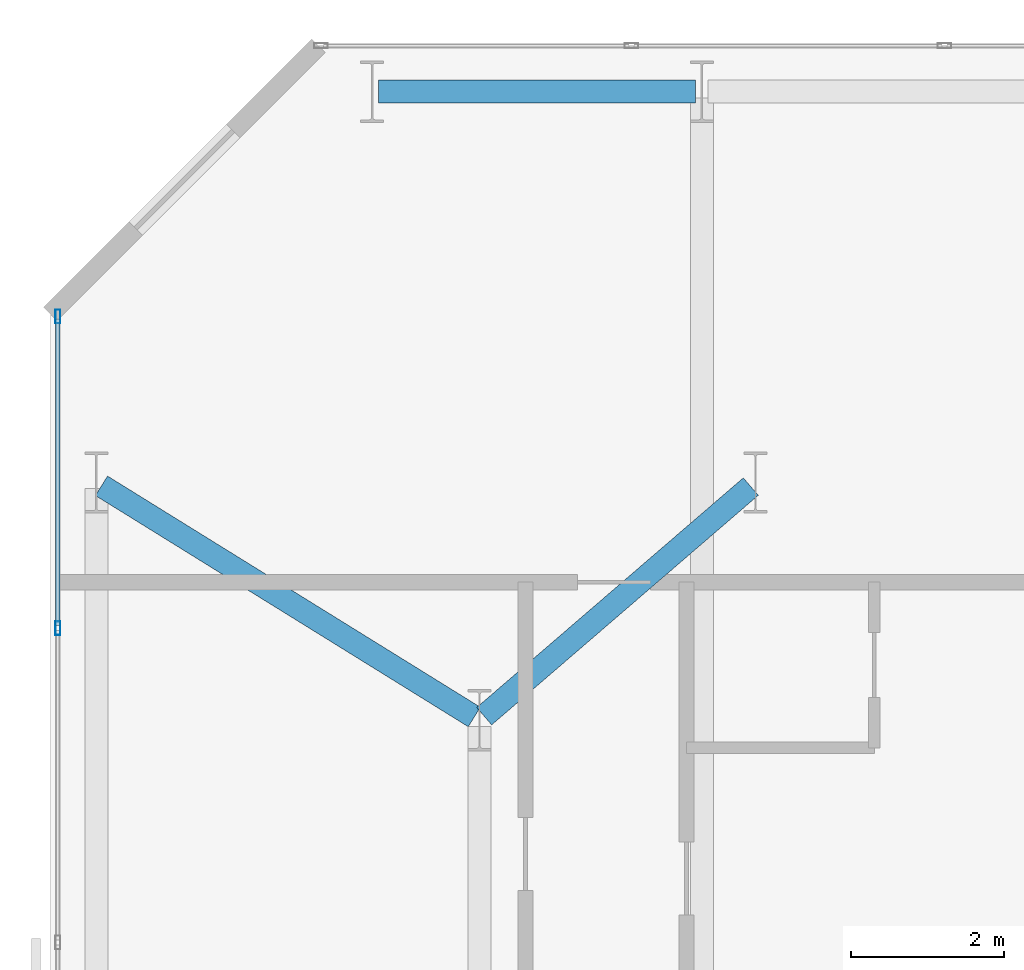
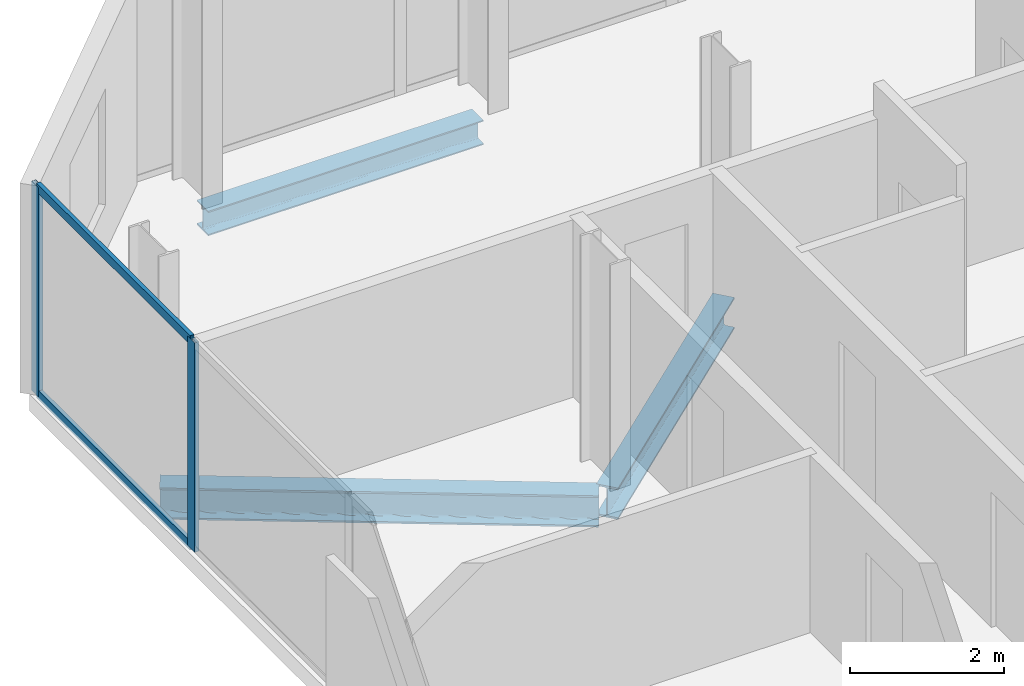
# One storey, part 20 of 33: 4 members, 3 beams, 1 element without a shape of its own.
"""IFC4 building model written with IfcOpenShell, lengths in metres."""

from ifc_helpers import new_model, si_unit, direction, frame, origin, origin_2d, place, context, subcontext, project, spatial, hollow_rectangle, i_section, extrude, material, layer, layer_set, material_profile, profile_set, type_object, element, aggregate, save


model = new_model("IFC4")

# Units and contexts
model_context = context("Model", 3, precision=1e-05, world=origin(), true_north=direction((0.0, 1.0)))
body_context = subcontext(model_context, "Body", "Model", "MODEL_VIEW")
ifc_project = project(units=[si_unit("LENGTHUNIT", "METRE"), si_unit("AREAUNIT", "SQUARE_METRE"), si_unit("VOLUMEUNIT", "CUBIC_METRE"), si_unit("PLANEANGLEUNIT", "RADIAN"), si_unit("MASSUNIT", "GRAM", prefix="KILO")], contexts=[model_context])

# Site, building, storey
site_placement = place(None, origin())
site = spatial("IfcSite", under=ifc_project, at=site_placement, CompositionType="ELEMENT")
building_placement = place(site_placement, origin())
building = spatial("IfcBuilding", under=site, at=building_placement, Name="Catumbela Crestline Tower", CompositionType="ELEMENT")
storey_placement = place(building_placement, frame((0.0, 0.0, 47.4)))
storey = spatial("IfcBuildingStorey", under=building, at=storey_placement, Name="L11", CompositionType="ELEMENT", Elevation=47.4)

# Beams
ifc_material_1 = material(Name="Structural steel S355J2", Category="steel")
ifc_material_profile_1 = material_profile(ifc_material_1, i_section(OverallWidth=0.3, OverallDepth=0.5, WebThickness=0.0145, FlangeThickness=0.028, FilletRadius=0.027, at=origin_2d()), Name="HEB 500")
ifc_profile_set_1 = profile_set([ifc_material_profile_1], Name="Structural steel S355J2")
beam_type_1 = type_object("IfcBeamType", Name="BG-HEB500", PredefinedType="BEAM", material=ifc_profile_set_1)
beam_1_placement = place(storey_placement, frame((0.668, 42.2578, -0.51), z_axis=(0.849908952007, -0.526929571479, 0.0), x_axis=(0.526929571479, 0.849908952007, 0.0)))
element("IfcBeam", 1, at=beam_1_placement, inside=storey, type_object=beam_type_1, Name="L11 Beam BM-L11-N13", PredefinedType="BEAM", context=body_context, shape_type="SweptSolid", body=[
    extrude(i_section(OverallWidth=0.3, OverallDepth=0.5, WebThickness=0.0145, FlangeThickness=0.028, FilletRadius=0.027, at=origin_2d()), origin(), (0.0, 0.0, 1.0), 5.723),
])
beam_2_placement = place(storey_placement, frame((5.6606, 39.2522, -0.51), z_axis=(0.757772392559, 0.652518966066, 0.0), x_axis=(-0.652518966066, 0.757772392559, 0.0)))
element("IfcBeam", 2, at=beam_2_placement, inside=storey, type_object=beam_type_1, Name="L11 Beam BM-L11-N14", PredefinedType="BEAM", context=body_context, shape_type="SweptSolid", body=[
    extrude(i_section(OverallWidth=0.3, OverallDepth=0.5, WebThickness=0.0145, FlangeThickness=0.028, FilletRadius=0.027, at=origin_2d()), origin(), (0.0, 0.0, 1.0), 4.5908),
])

# Curtain wall, members
ifc_material_2 = material(Name="Aluminium alloy AW-6060-T66", Category="aluminium")
ifc_layer = layer(ifc_material_2, 0.18, Name="Aluminium alloy AW-6060-T66")
ifc_layer_set = layer_set([ifc_layer], Name="Aluminium alloy AW-6060-T66")
curtain_wall_type = type_object("IfcCurtainWallType", Name="CWU-Z1", PredefinedType="USERDEFINED", material=ifc_layer_set)
curtain_wall_placement = place(storey_placement, origin())
curtain_wall = element("IfcCurtainWall", 3, at=curtain_wall_placement, inside=storey, type_object=curtain_wall_type, Name="L11 Unitised Curtain Wall CW-L11-E9S1", ObjectType="UNITISED", PredefinedType="USERDEFINED")
ifc_material_profile_2 = material_profile(ifc_material_2, hollow_rectangle(XDim=0.065, YDim=0.18, WallThickness=0.004, at=origin_2d()), Name="ALU 180x65x4")
ifc_profile_set_2 = profile_set([ifc_material_profile_2], Name="Aluminium alloy AW-6060-T66")
member_type_1 = type_object("IfcMemberType", Name="MUL-180X65", PredefinedType="MULLION", material=ifc_profile_set_2)
member_1_placement = place(storey_placement, frame((0.1, 44.4675, 0.0), z_axis=(0.0, 0.0, 1.0), x_axis=(1.0, 0.0, 0.0)))
member_1 = element("IfcMember", 4, at=member_1_placement, type_object=member_type_1, Name="CWU-Z1 mullion 1", PredefinedType="MULLION", context=body_context, shape_type="SweptSolid", body=[
    extrude(hollow_rectangle(XDim=0.065, YDim=0.18, WallThickness=0.004, at=origin_2d()), origin(), (0.0, 0.0, 1.0), 3.33),
])
member_2_placement = place(storey_placement, frame((0.1, 40.4, 0.0), z_axis=(0.0, 0.0, 1.0), x_axis=(1.0, 0.0, 0.0)))
member_2 = element("IfcMember", 5, at=member_2_placement, type_object=member_type_1, Name="CWU-Z1 mullion 2", PredefinedType="MULLION", context=body_context, shape_type="SweptSolid", body=[
    extrude(hollow_rectangle(XDim=0.065, YDim=0.18, WallThickness=0.004, at=origin_2d()), origin(), (0.0, 0.0, 1.0), 3.33),
])

# Beam
ifc_material_profile_3 = material_profile(ifc_material_1, i_section(OverallWidth=0.3, OverallDepth=0.39, WebThickness=0.011, FlangeThickness=0.019, FilletRadius=0.027, at=origin_2d()), Name="HEA 400")
ifc_profile_set_3 = profile_set([ifc_material_profile_3], Name="Structural steel S355J2")
beam_type_2 = type_object("IfcBeamType", Name="BS-HEA400", PredefinedType="SPANDREL", material=ifc_profile_set_3)
beam_3_placement = place(storey_placement, frame((4.28, 47.4, -0.455), z_axis=(1.0, 0.0, 0.0), x_axis=(0.0, 1.0, 0.0)))
element("IfcBeam", 6, at=beam_3_placement, inside=storey, type_object=beam_type_2, Name="L11 Spandrel SP-L11-NF19", PredefinedType="SPANDREL", context=body_context, shape_type="SweptSolid", body=[
    extrude(i_section(OverallWidth=0.3, OverallDepth=0.39, WebThickness=0.011, FlangeThickness=0.019, FilletRadius=0.027, at=origin_2d()), origin(), (0.0, 0.0, 1.0), 4.14),
])

# Member
ifc_material_profile_4 = material_profile(ifc_material_2, hollow_rectangle(XDim=0.06, YDim=0.14, WallThickness=0.004, at=origin_2d()), Name="ALU 140x60x4")
ifc_profile_set_4 = profile_set([ifc_material_profile_4], Name="Aluminium alloy AW-6060-T66")
member_type_2 = type_object("IfcMemberType", Name="TRN-140X60", PredefinedType="USERDEFINED", material=ifc_profile_set_4)
member_3_placement = place(storey_placement, frame((0.1, 44.435, 0.03), z_axis=(0.0, -1.0, 0.0), x_axis=(1.0, 0.0, 0.0)))
member_3 = element("IfcMember", 7, at=member_3_placement, type_object=member_type_2, Name="CWU-Z1 transom 1.1", ObjectType="TRANSOM", PredefinedType="USERDEFINED", context=body_context, shape_type="SweptSolid", body=[
    extrude(hollow_rectangle(XDim=0.06, YDim=0.14, WallThickness=0.004, at=origin_2d()), origin(), (0.0, 0.0, 1.0), 4.0025),
])

member_4_placement = place(storey_placement, frame((0.1, 44.435, 3.3), z_axis=(0.0, -1.0, 0.0), x_axis=(1.0, 0.0, 0.0)))
member_4 = element("IfcMember", 8, at=member_4_placement, type_object=member_type_2, Name="CWU-Z1 transom 1.2", ObjectType="TRANSOM", PredefinedType="USERDEFINED", context=body_context, shape_type="SweptSolid", body=[
    extrude(hollow_rectangle(XDim=0.06, YDim=0.14, WallThickness=0.004, at=origin_2d()), origin(), (0.0, 0.0, 1.0), 4.0025),
])

aggregate(curtain_wall, [member_1, member_2, member_3, member_4])

save(model, "model.ifc")
